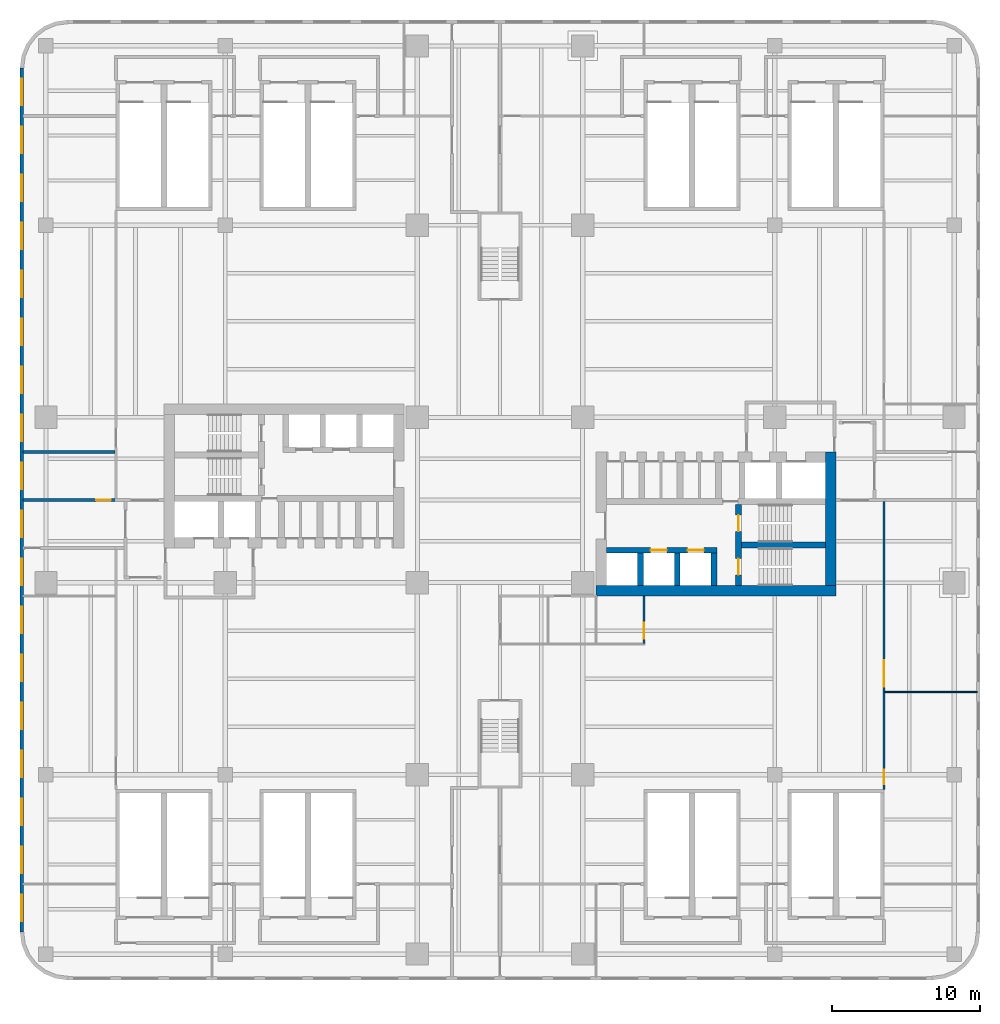
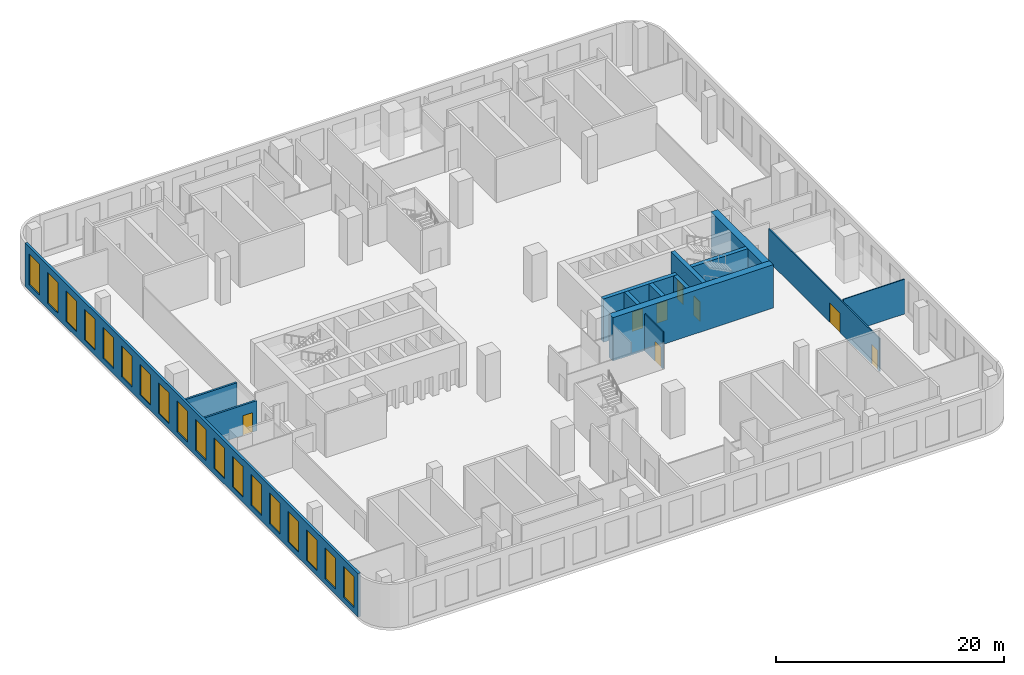
# One storey, part 7 of 13: 18 windows, 14 walls, 8 doors, 26 openings.
"""IFC4 building model written with IfcOpenShell, lengths in metres."""

from ifc_helpers import new_model, si_unit, direction, frame, frame_2d, origin, place, context, subcontext, project, spatial, rectangle, extrude, source, transform, mapped, material, layer, layer_set, type_object, element, fill, save


model = new_model("IFC4")

# Units and contexts
model_context = context("Model", 3, precision=1e-05, world=origin(), true_north=direction((0.0, 1.0)))
body_context = subcontext(model_context, "Body", "Model", "MODEL_VIEW")
ifc_project = project(units=[si_unit("LENGTHUNIT", "METRE"), si_unit("AREAUNIT", "SQUARE_METRE"), si_unit("VOLUMEUNIT", "CUBIC_METRE"), si_unit("PLANEANGLEUNIT", "RADIAN"), si_unit("MASSUNIT", "GRAM", prefix="KILO")], contexts=[model_context])

# Site, building, storey
site_placement = place(None, origin())
site = spatial("IfcSite", under=ifc_project, at=site_placement, CompositionType="ELEMENT")
building_placement = place(site_placement, origin())
building = spatial("IfcBuilding", under=site, at=building_placement, Name="Trellis Farm Tower", CompositionType="ELEMENT")
storey_placement = place(building_placement, frame((0.0, 0.0, 29.0)))
storey = spatial("IfcBuildingStorey", under=building, at=storey_placement, Name="L05", CompositionType="ELEMENT", Elevation=29.0)

# Wall
ifc_material_1 = material(Name="Lightweight blockwork, plastered", Category="masonry")
ifc_layer_1 = layer(ifc_material_1, 0.199951171875)
ifc_layer_set_1 = layer_set([ifc_layer_1], Name="BLOCK WALL 200 EI 120")
wall_type_1 = type_object("IfcWallType", Name="BLOCK WALL 200 EI 120", PredefinedType="PARTITIONING", material=ifc_layer_set_1)
wall_1_placement = place(storey_placement, frame((-32.300048828125, 3.25, 0.0), z_axis=(0.0, 0.0, 1.0), x_axis=(1.0, 0.0, 0.0)))
element("IfcWall", 1, at=wall_1_placement, inside=storey, type_object=wall_type_1, Name="Partition PW3", PredefinedType="PARTITIONING", context=body_context, shape_type="SweptSolid", body=[
    extrude(rectangle(XDim=6.237548828125, YDim=0.199951171875, at=frame_2d((3.11865234375, 0.0))), origin(), (0.0, 0.0, 1.0), 3.22998046875),
])

# Wall, opening, door
ifc_material_2 = material(Name="Plasterboard on steel studs, mineral wool", Category="steel")
ifc_layer_2 = layer(ifc_material_2, 0.125)
ifc_layer_set_2 = layer_set([ifc_layer_2], Name="PARTITION 125 STUD EI 60")
wall_type_2 = type_object("IfcWallType", Name="PARTITION 125 STUD EI 60", PredefinedType="PARTITIONING", material=ifc_layer_set_2)
wall_2_placement = place(storey_placement, frame((9.75, -9.699951171875, 0.0), z_axis=(0.0, 0.0, 1.0), x_axis=(0.0, 1.0, 0.0)))
wall_2 = element("IfcWall", 2, at=wall_2_placement, inside=storey, type_object=wall_type_2, Name="Partition PW1", PredefinedType="PARTITIONING", context=body_context, shape_type="SweptSolid", body=[
    extrude(rectangle(XDim=3.199951171875, YDim=0.125, at=frame_2d((1.60009765625, 0.0))), origin(), (0.0, 0.0, 1.0), 3.946533203125),
])
shared_shape_1 = source(origin(), body_context, "Body", "SweptSolid", [
    extrude(rectangle(XDim=1.10009765625, YDim=2.10009765625, at=frame_2d((0.550048828125, 1.050048828125))), frame((0.0, 0.072509765625, 0.0), z_axis=(0.0, -1.0, 0.0), x_axis=(1.0, 0.0, 0.0)), (0.0, 0.0, 1.0), 0.14501953125),
])
opening_1_placement = place(wall_2_placement, frame((0.300048828125, 0.0, 0.0)))
opening_1 = element("IfcOpeningElement", 3, at=opening_1_placement, cuts=wall_2, Name="Opening D501", PredefinedType="OPENING", context=body_context, shape_type="MappedRepresentation", body=[
    mapped(shared_shape_1, transform((0.0, 0.0, 0.0))),
])
ifc_material_3 = material(Name="Fire-rated timber door leaf in a hollow metal frame", Category="wood")
door_type_1 = type_object("IfcDoorType", Name="DOOR 1100x2100 FD30S", OperationType="NOTDEFINED", PredefinedType="DOOR", material=ifc_material_3)
shared_shape_2 = source(origin(), body_context, "Body", "SweptSolid", [
    extrude(rectangle(XDim=1.10009765625, YDim=2.10009765625, at=frame_2d((0.550048828125, 1.050048828125))), frame((0.0, 0.02490234375, 0.0), z_axis=(0.0, -1.0, 0.0), x_axis=(1.0, 0.0, 0.0)), (0.0, 0.0, 1.0), 0.050048828125),
])
door_1_placement = place(opening_1_placement, origin())
door_1 = element("IfcDoor", 4, at=door_1_placement, inside=storey, type_object=door_type_1, Name="Door D501", OperationType="SINGLE_SWING_LEFT", OverallHeight=2.10009765625, OverallWidth=1.10009765625, PredefinedType="DOOR", context=body_context, shape_type="MappedRepresentation", body=[
    mapped(shared_shape_2, transform((0.0, 0.0, 0.0))),
])
fill(opening_1, door_1)

# Walls
ifc_material_4 = material(Name="Concrete C80/95", Category="concrete")
ifc_layer_3 = layer(ifc_material_4, 0.699951171875)
ifc_layer_set_3 = layer_set([ifc_layer_3], Name="CORE OUTER WALL 700 CONCRETE C80/95")
wall_type_3 = type_object("IfcWallType", Name="CORE OUTER WALL 700 CONCRETE C80/95", PredefinedType="SHEAR", material=ifc_layer_set_3)
shared_shape_3 = source(origin(), body_context, "Body", "SweptSolid", [
    extrude(rectangle(XDim=9.050048828125, YDim=0.699951171875, at=frame_2d((4.52490234375, 0.0))), origin(), (0.0, 0.0, 1.0), 4.64990234375),
])
wall_3_placement = place(storey_placement, frame((22.39990234375, -5.800048828125, 0.0), z_axis=(0.0, 0.0, 1.0), x_axis=(0.0, 1.0, 0.0)))
element("IfcWall", 5, at=wall_3_placement, inside=storey, type_object=wall_type_3, Name="Core wall", PredefinedType="SHEAR", context=body_context, shape_type="MappedRepresentation", body=[
    mapped(shared_shape_3, transform((0.0, 0.0, 0.0))),
])
ifc_layer_4 = layer(ifc_material_4, 0.39990234375)
ifc_layer_set_4 = layer_set([ifc_layer_4], Name="CORE INNER WALL 400 CONCRETE C80/95")
wall_type_4 = type_object("IfcWallType", Name="CORE INNER WALL 400 CONCRETE C80/95", PredefinedType="SHEAR", material=ifc_layer_set_4)
shared_shape_4 = source(origin(), body_context, "Body", "SweptSolid", [
    extrude(rectangle(XDim=2.199951171875, YDim=0.39990234375, at=frame_2d((1.10009765625, 0.0))), origin(), (0.0, 0.0, 1.0), 4.64990234375),
])
for number, where, z_axis, x_axis, name in (
    (6, (9.5, -5.800048828125, 0.0), (0.0, 0.0, 1.0), (0.0, 1.0, 0.0), "Core wall"),
    (7, (12.0, -5.800048828125, 0.0), (0.0, 0.0, 1.0), (0.0, 1.0, 0.0), "Core wall"),
    (8, (14.5, -5.800048828125, 0.0), (0.0, 0.0, 1.0), (0.0, 1.0, 0.0), "Core wall"),
):
    element("IfcWall", number, at=place(storey_placement, frame(where, z_axis=z_axis, x_axis=x_axis)), inside=storey, type_object=wall_type_4, Name=name, PredefinedType="SHEAR", context=body_context, shape_type="MappedRepresentation", body=[
        mapped(shared_shape_4, transform((0.0, 0.0, 0.0))),
    ])
shared_shape_5 = source(origin(), body_context, "Body", "SweptSolid", [
    extrude(rectangle(XDim=16.25, YDim=0.699951171875, at=frame_2d((8.125, 0.0))), origin(), (0.0, 0.0, 1.0), 4.64990234375),
])
wall_4_placement = place(storey_placement, frame((6.5, -6.14990234375, 0.0), z_axis=(0.0, 0.0, 1.0), x_axis=(1.0, 0.0, 0.0)))
element("IfcWall", 9, at=wall_4_placement, inside=storey, type_object=wall_type_3, Name="Core wall", PredefinedType="SHEAR", context=body_context, shape_type="MappedRepresentation", body=[
    mapped(shared_shape_5, transform((0.0, 0.0, 0.0))),
])

# Wall, openings, doors
shared_shape_6 = source(origin(), body_context, "Body", "SweptSolid", [
    extrude(rectangle(XDim=7.5, YDim=0.39990234375, at=frame_2d((3.75, 0.0))), origin(), (0.0, 0.0, 1.0), 4.64990234375),
])
wall_5_placement = place(storey_placement, frame((7.199951171875, -3.39990234375, 0.0), z_axis=(0.0, 0.0, 1.0), x_axis=(1.0, 0.0, 0.0)))
wall_5 = element("IfcWall", 10, at=wall_5_placement, inside=storey, type_object=wall_type_4, Name="Core wall", PredefinedType="SHEAR", context=body_context, shape_type="MappedRepresentation", body=[
    mapped(shared_shape_6, transform((0.0, 0.0, 0.0))),
])
shared_shape_7 = source(origin(), body_context, "Body", "SweptSolid", [
    extrude(rectangle(XDim=1.10009765625, YDim=2.10009765625, at=frame_2d((0.550048828125, 1.050048828125))), frame((0.0, 0.2099609375, 0.0), z_axis=(0.0, -1.0, 0.0), x_axis=(1.0, 0.0, 0.0)), (0.0, 0.0, 1.0), 0.419921875),
])
opening_2_placement = place(wall_5_placement, frame((3.0, 0.0, 0.0)))
opening_2 = element("IfcOpeningElement", 11, at=opening_2_placement, cuts=wall_5, Name="Opening LD2", PredefinedType="OPENING", context=body_context, shape_type="MappedRepresentation", body=[
    mapped(shared_shape_7, transform((0.0, 0.0, 0.0))),
])
opening_3_placement = place(wall_5_placement, frame((5.5, 0.0, 0.0)))
opening_3 = element("IfcOpeningElement", 12, at=opening_3_placement, cuts=wall_5, Name="Opening LD3", PredefinedType="OPENING", context=body_context, shape_type="MappedRepresentation", body=[
    mapped(shared_shape_7, transform((0.0, 0.0, 0.0))),
])
ifc_material_5 = material(Name="Stainless steel", Category="steel")
door_type_2 = type_object("IfcDoorType", Name="LIFT LANDING DOOR 1100 X 2100", OperationType="DOUBLE_DOOR_SLIDING", PredefinedType="DOOR", material=ifc_material_5)
door_2_placement = place(opening_2_placement, origin())
door_2 = element("IfcDoor", 13, at=door_2_placement, inside=storey, type_object=door_type_2, Name="Lift landing door", OperationType="DOUBLE_DOOR_SLIDING", OverallHeight=2.10009765625, OverallWidth=1.10009765625, PredefinedType="DOOR", context=body_context, shape_type="MappedRepresentation", body=[
    mapped(shared_shape_2, transform((0.0, 0.0, 0.0))),
])
fill(opening_2, door_2)
door_3_placement = place(opening_3_placement, origin())
door_3 = element("IfcDoor", 14, at=door_3_placement, inside=storey, type_object=door_type_2, Name="Lift landing door", OperationType="DOUBLE_DOOR_SLIDING", OverallHeight=2.10009765625, OverallWidth=1.10009765625, PredefinedType="DOOR", context=body_context, shape_type="MappedRepresentation", body=[
    mapped(shared_shape_2, transform((0.0, 0.0, 0.0))),
])
fill(opening_3, door_3)

shared_shape_8 = source(origin(), body_context, "Body", "SweptSolid", [
    extrude(rectangle(XDim=5.5, YDim=0.39990234375, at=frame_2d((2.75, 0.0))), origin(), (0.0, 0.0, 1.0), 4.64990234375),
])
wall_6_placement = place(storey_placement, frame((16.14990234375, -5.800048828125, 0.0), z_axis=(0.0, 0.0, 1.0), x_axis=(0.0, 1.0, 0.0)))
wall_6 = element("IfcWall", 15, at=wall_6_placement, inside=storey, type_object=wall_type_4, Name="Core wall", PredefinedType="SHEAR", context=body_context, shape_type="MappedRepresentation", body=[
    mapped(shared_shape_8, transform((0.0, 0.0, 0.0))),
])
opening_4_placement = place(wall_6_placement, frame((0.72509765625, 0.0, 0.0)))
opening_4 = element("IfcOpeningElement", 16, at=opening_4_placement, cuts=wall_6, Name="Opening DC2", PredefinedType="OPENING", context=body_context, shape_type="MappedRepresentation", body=[
    mapped(shared_shape_7, transform((0.0, 0.0, 0.0))),
])
opening_5_placement = place(wall_6_placement, frame((3.675048828125, 0.0, 0.0)))
opening_5 = element("IfcOpeningElement", 17, at=opening_5_placement, cuts=wall_6, Name="Opening DC3", PredefinedType="OPENING", context=body_context, shape_type="MappedRepresentation", body=[
    mapped(shared_shape_7, transform((0.0, 0.0, 0.0))),
])
ifc_material_6 = material(Name="Steel", Category="steel")
door_type_3 = type_object("IfcDoorType", Name="CORE FIRE DOOR 1100 X 2100", OperationType="NOTDEFINED", PredefinedType="DOOR", material=ifc_material_6)
door_4_placement = place(opening_4_placement, origin())
door_4 = element("IfcDoor", 18, at=door_4_placement, inside=storey, type_object=door_type_3, Name="Core door", OperationType="SINGLE_SWING_RIGHT", OverallHeight=2.10009765625, OverallWidth=1.10009765625, PredefinedType="DOOR", context=body_context, shape_type="MappedRepresentation", body=[
    mapped(shared_shape_2, transform((0.0, 0.0, 0.0))),
])
fill(opening_4, door_4)
door_5_placement = place(opening_5_placement, origin())
door_5 = element("IfcDoor", 19, at=door_5_placement, inside=storey, type_object=door_type_3, Name="Core door", OperationType="SINGLE_SWING_LEFT", OverallHeight=2.10009765625, OverallWidth=1.10009765625, PredefinedType="DOOR", context=body_context, shape_type="MappedRepresentation", body=[
    mapped(shared_shape_2, transform((0.0, 0.0, 0.0))),
])
fill(opening_5, door_5)

# Wall
shared_shape_9 = source(origin(), body_context, "Body", "SweptSolid", [
    extrude(rectangle(XDim=5.699951171875, YDim=0.39990234375, at=frame_2d((2.85009765625, 0.0))), origin(), (0.0, 0.0, 1.0), 4.64990234375),
])
wall_7_placement = place(storey_placement, frame((16.35009765625, -3.050048828125, 0.0), z_axis=(0.0, 0.0, 1.0), x_axis=(1.0, 0.0, 0.0)))
element("IfcWall", 20, at=wall_7_placement, inside=storey, type_object=wall_type_4, Name="Core wall", PredefinedType="SHEAR", context=body_context, shape_type="MappedRepresentation", body=[
    mapped(shared_shape_9, transform((0.0, 0.0, 0.0))),
])

# Wall, openings, windows
ifc_material_7 = material(Name="Sandstone faced insulated wall", Category="masonry")
ifc_layer_5 = layer(ifc_material_7, 0.25)
ifc_layer_set_5 = layer_set([ifc_layer_5], Name="STONE CLAD EXTERNAL WALL 250")
wall_type_5 = type_object("IfcWallType", Name="STONE CLAD EXTERNAL WALL 250", PredefinedType="SOLIDWALL", material=ifc_layer_set_5)
shared_shape_10 = source(origin(), body_context, "Body", "SweptSolid", [
    extrude(rectangle(XDim=58.5, YDim=0.25, at=frame_2d((29.25, 0.0))), origin(), (0.0, 0.0, 1.0), 4.64990234375),
])
wall_8_placement = place(storey_placement, frame((-32.375, 29.25, 0.0), z_axis=(0.0, 0.0, 1.0), x_axis=(0.0, -1.0, 0.0)))
wall_8 = element("IfcWall", 21, at=wall_8_placement, inside=storey, type_object=wall_type_5, Name="EW5 F03", PredefinedType="SOLIDWALL", context=body_context, shape_type="MappedRepresentation", body=[
    mapped(shared_shape_10, transform((0.0, 0.0, 0.0))),
])
shared_shape_11 = source(origin(), body_context, "Body", "SweptSolid", [
    extrude(rectangle(XDim=1.800048828125, YDim=3.300048828125, at=frame_2d((0.89990234375, 1.64990234375))), frame((0.0, 0.135009765625, 0.0), z_axis=(0.0, -1.0, 0.0), x_axis=(1.0, 0.0, 0.0)), (0.0, 0.0, 1.0), 0.27001953125),
])
opening_6_placement = place(wall_8_placement, frame((0.72509765625, 0.0, 0.60009765625)))
opening_6 = element("IfcOpeningElement", 22, at=opening_6_placement, cuts=wall_8, Name="Opening WN4", PredefinedType="OPENING", context=body_context, shape_type="MappedRepresentation", body=[
    mapped(shared_shape_11, transform((0.0, 0.0, 0.0))),
])
opening_7_placement = place(wall_8_placement, frame((3.97509765625, 0.0, 0.60009765625)))
opening_7 = element("IfcOpeningElement", 23, at=opening_7_placement, cuts=wall_8, Name="Opening WN4", PredefinedType="OPENING", context=body_context, shape_type="MappedRepresentation", body=[
    mapped(shared_shape_11, transform((0.0, 0.0, 0.0))),
])
opening_8_placement = place(wall_8_placement, frame((7.22509765625, 0.0, 0.60009765625)))
opening_8 = element("IfcOpeningElement", 24, at=opening_8_placement, cuts=wall_8, Name="Opening WN4", PredefinedType="OPENING", context=body_context, shape_type="MappedRepresentation", body=[
    mapped(shared_shape_11, transform((0.0, 0.0, 0.0))),
])
opening_9_placement = place(wall_8_placement, frame((10.47509765625, 0.0, 0.60009765625)))
opening_9 = element("IfcOpeningElement", 25, at=opening_9_placement, cuts=wall_8, Name="Opening WN4", PredefinedType="OPENING", context=body_context, shape_type="MappedRepresentation", body=[
    mapped(shared_shape_11, transform((0.0, 0.0, 0.0))),
])
opening_10_placement = place(wall_8_placement, frame((13.72509765625, 0.0, 0.60009765625)))
opening_10 = element("IfcOpeningElement", 26, at=opening_10_placement, cuts=wall_8, Name="Opening WN4", PredefinedType="OPENING", context=body_context, shape_type="MappedRepresentation", body=[
    mapped(shared_shape_11, transform((0.0, 0.0, 0.0))),
])
opening_11_placement = place(wall_8_placement, frame((16.97509765625, 0.0, 0.60009765625)))
opening_11 = element("IfcOpeningElement", 27, at=opening_11_placement, cuts=wall_8, Name="Opening WN4", PredefinedType="OPENING", context=body_context, shape_type="MappedRepresentation", body=[
    mapped(shared_shape_11, transform((0.0, 0.0, 0.0))),
])
opening_12_placement = place(wall_8_placement, frame((20.22509765625, 0.0, 0.60009765625)))
opening_12 = element("IfcOpeningElement", 28, at=opening_12_placement, cuts=wall_8, Name="Opening WN4", PredefinedType="OPENING", context=body_context, shape_type="MappedRepresentation", body=[
    mapped(shared_shape_11, transform((0.0, 0.0, 0.0))),
])
opening_13_placement = place(wall_8_placement, frame((23.47509765625, 0.0, 0.60009765625)))
opening_13 = element("IfcOpeningElement", 29, at=opening_13_placement, cuts=wall_8, Name="Opening WN4", PredefinedType="OPENING", context=body_context, shape_type="MappedRepresentation", body=[
    mapped(shared_shape_11, transform((0.0, 0.0, 0.0))),
])
opening_14_placement = place(wall_8_placement, frame((26.72509765625, 0.0, 0.60009765625)))
opening_14 = element("IfcOpeningElement", 30, at=opening_14_placement, cuts=wall_8, Name="Opening WN4", PredefinedType="OPENING", context=body_context, shape_type="MappedRepresentation", body=[
    mapped(shared_shape_11, transform((0.0, 0.0, 0.0))),
])
opening_15_placement = place(wall_8_placement, frame((29.97509765625, 0.0, 0.60009765625)))
opening_15 = element("IfcOpeningElement", 31, at=opening_15_placement, cuts=wall_8, Name="Opening WN4", PredefinedType="OPENING", context=body_context, shape_type="MappedRepresentation", body=[
    mapped(shared_shape_11, transform((0.0, 0.0, 0.0))),
])
opening_16_placement = place(wall_8_placement, frame((33.22509765625, 0.0, 0.60009765625)))
opening_16 = element("IfcOpeningElement", 32, at=opening_16_placement, cuts=wall_8, Name="Opening WN4", PredefinedType="OPENING", context=body_context, shape_type="MappedRepresentation", body=[
    mapped(shared_shape_11, transform((0.0, 0.0, 0.0))),
])
opening_17_placement = place(wall_8_placement, frame((36.47509765625, 0.0, 0.60009765625)))
opening_17 = element("IfcOpeningElement", 33, at=opening_17_placement, cuts=wall_8, Name="Opening WN4", PredefinedType="OPENING", context=body_context, shape_type="MappedRepresentation", body=[
    mapped(shared_shape_11, transform((0.0, 0.0, 0.0))),
])
opening_18_placement = place(wall_8_placement, frame((39.72509765625, 0.0, 0.60009765625)))
opening_18 = element("IfcOpeningElement", 34, at=opening_18_placement, cuts=wall_8, Name="Opening WN4", PredefinedType="OPENING", context=body_context, shape_type="MappedRepresentation", body=[
    mapped(shared_shape_11, transform((0.0, 0.0, 0.0))),
])
opening_19_placement = place(wall_8_placement, frame((42.97509765625, 0.0, 0.60009765625)))
opening_19 = element("IfcOpeningElement", 35, at=opening_19_placement, cuts=wall_8, Name="Opening WN4", PredefinedType="OPENING", context=body_context, shape_type="MappedRepresentation", body=[
    mapped(shared_shape_11, transform((0.0, 0.0, 0.0))),
])
opening_20_placement = place(wall_8_placement, frame((46.22509765625, 0.0, 0.60009765625)))
opening_20 = element("IfcOpeningElement", 36, at=opening_20_placement, cuts=wall_8, Name="Opening WN4", PredefinedType="OPENING", context=body_context, shape_type="MappedRepresentation", body=[
    mapped(shared_shape_11, transform((0.0, 0.0, 0.0))),
])
opening_21_placement = place(wall_8_placement, frame((49.47509765625, 0.0, 0.60009765625)))
opening_21 = element("IfcOpeningElement", 37, at=opening_21_placement, cuts=wall_8, Name="Opening WN4", PredefinedType="OPENING", context=body_context, shape_type="MappedRepresentation", body=[
    mapped(shared_shape_11, transform((0.0, 0.0, 0.0))),
])
opening_22_placement = place(wall_8_placement, frame((52.72509765625, 0.0, 0.60009765625)))
opening_22 = element("IfcOpeningElement", 38, at=opening_22_placement, cuts=wall_8, Name="Opening WN4", PredefinedType="OPENING", context=body_context, shape_type="MappedRepresentation", body=[
    mapped(shared_shape_11, transform((0.0, 0.0, 0.0))),
])
opening_23_placement = place(wall_8_placement, frame((55.97509765625, 0.0, 0.60009765625)))
opening_23 = element("IfcOpeningElement", 39, at=opening_23_placement, cuts=wall_8, Name="Opening WN4", PredefinedType="OPENING", context=body_context, shape_type="MappedRepresentation", body=[
    mapped(shared_shape_11, transform((0.0, 0.0, 0.0))),
])
ifc_material_8 = material(Name="Clear insulated glass", Category="glass")
window_type = type_object("IfcWindowType", Name="PODIUM WINDOW 1800x3300", PartitioningType="SINGLE_PANEL", PredefinedType="WINDOW", material=ifc_material_8)
shared_shape_12 = source(origin(), body_context, "Body", "SweptSolid", [
    extrude(rectangle(XDim=1.800048828125, YDim=3.300048828125, at=frame_2d((0.89990234375, 1.64990234375))), frame((0.0, 0.030029296875, 0.0), z_axis=(0.0, -1.0, 0.0), x_axis=(1.0, 0.0, 0.0)), (0.0, 0.0, 1.0), 0.06005859375),
])
window_1_placement = place(opening_6_placement, origin())
window_1 = element("IfcWindow", 40, at=window_1_placement, inside=storey, type_object=window_type, Name="WN4 037", OverallHeight=3.300048828125, OverallWidth=1.800048828125, PartitioningType="SINGLE_PANEL", PredefinedType="WINDOW", context=body_context, shape_type="MappedRepresentation", body=[
    mapped(shared_shape_12, transform((0.0, 0.0, 0.0))),
])
fill(opening_6, window_1)
window_2_placement = place(opening_7_placement, origin())
window_2 = element("IfcWindow", 41, at=window_2_placement, inside=storey, type_object=window_type, Name="WN4 038", OverallHeight=3.300048828125, OverallWidth=1.800048828125, PartitioningType="SINGLE_PANEL", PredefinedType="WINDOW", context=body_context, shape_type="MappedRepresentation", body=[
    mapped(shared_shape_12, transform((0.0, 0.0, 0.0))),
])
fill(opening_7, window_2)
window_3_placement = place(opening_8_placement, origin())
window_3 = element("IfcWindow", 42, at=window_3_placement, inside=storey, type_object=window_type, Name="WN4 039", OverallHeight=3.300048828125, OverallWidth=1.800048828125, PartitioningType="SINGLE_PANEL", PredefinedType="WINDOW", context=body_context, shape_type="MappedRepresentation", body=[
    mapped(shared_shape_12, transform((0.0, 0.0, 0.0))),
])
fill(opening_8, window_3)
window_4_placement = place(opening_9_placement, origin())
window_4 = element("IfcWindow", 43, at=window_4_placement, inside=storey, type_object=window_type, Name="WN4 040", OverallHeight=3.300048828125, OverallWidth=1.800048828125, PartitioningType="SINGLE_PANEL", PredefinedType="WINDOW", context=body_context, shape_type="MappedRepresentation", body=[
    mapped(shared_shape_12, transform((0.0, 0.0, 0.0))),
])
fill(opening_9, window_4)
window_5_placement = place(opening_10_placement, origin())
window_5 = element("IfcWindow", 44, at=window_5_placement, inside=storey, type_object=window_type, Name="WN4 041", OverallHeight=3.300048828125, OverallWidth=1.800048828125, PartitioningType="SINGLE_PANEL", PredefinedType="WINDOW", context=body_context, shape_type="MappedRepresentation", body=[
    mapped(shared_shape_12, transform((0.0, 0.0, 0.0))),
])
fill(opening_10, window_5)
window_6_placement = place(opening_11_placement, origin())
window_6 = element("IfcWindow", 45, at=window_6_placement, inside=storey, type_object=window_type, Name="WN4 042", OverallHeight=3.300048828125, OverallWidth=1.800048828125, PartitioningType="SINGLE_PANEL", PredefinedType="WINDOW", context=body_context, shape_type="MappedRepresentation", body=[
    mapped(shared_shape_12, transform((0.0, 0.0, 0.0))),
])
fill(opening_11, window_6)
window_7_placement = place(opening_12_placement, origin())
window_7 = element("IfcWindow", 46, at=window_7_placement, inside=storey, type_object=window_type, Name="WN4 043", OverallHeight=3.300048828125, OverallWidth=1.800048828125, PartitioningType="SINGLE_PANEL", PredefinedType="WINDOW", context=body_context, shape_type="MappedRepresentation", body=[
    mapped(shared_shape_12, transform((0.0, 0.0, 0.0))),
])
fill(opening_12, window_7)
window_8_placement = place(opening_13_placement, origin())
window_8 = element("IfcWindow", 47, at=window_8_placement, inside=storey, type_object=window_type, Name="WN4 044", OverallHeight=3.300048828125, OverallWidth=1.800048828125, PartitioningType="SINGLE_PANEL", PredefinedType="WINDOW", context=body_context, shape_type="MappedRepresentation", body=[
    mapped(shared_shape_12, transform((0.0, 0.0, 0.0))),
])
fill(opening_13, window_8)
window_9_placement = place(opening_14_placement, origin())
window_9 = element("IfcWindow", 48, at=window_9_placement, inside=storey, type_object=window_type, Name="WN4 045", OverallHeight=3.300048828125, OverallWidth=1.800048828125, PartitioningType="SINGLE_PANEL", PredefinedType="WINDOW", context=body_context, shape_type="MappedRepresentation", body=[
    mapped(shared_shape_12, transform((0.0, 0.0, 0.0))),
])
fill(opening_14, window_9)
window_10_placement = place(opening_15_placement, origin())
window_10 = element("IfcWindow", 49, at=window_10_placement, inside=storey, type_object=window_type, Name="WN4 046", OverallHeight=3.300048828125, OverallWidth=1.800048828125, PartitioningType="SINGLE_PANEL", PredefinedType="WINDOW", context=body_context, shape_type="MappedRepresentation", body=[
    mapped(shared_shape_12, transform((0.0, 0.0, 0.0))),
])
fill(opening_15, window_10)
window_11_placement = place(opening_16_placement, origin())
window_11 = element("IfcWindow", 50, at=window_11_placement, inside=storey, type_object=window_type, Name="WN4 047", OverallHeight=3.300048828125, OverallWidth=1.800048828125, PartitioningType="SINGLE_PANEL", PredefinedType="WINDOW", context=body_context, shape_type="MappedRepresentation", body=[
    mapped(shared_shape_12, transform((0.0, 0.0, 0.0))),
])
fill(opening_16, window_11)
window_12_placement = place(opening_17_placement, origin())
window_12 = element("IfcWindow", 51, at=window_12_placement, inside=storey, type_object=window_type, Name="WN4 048", OverallHeight=3.300048828125, OverallWidth=1.800048828125, PartitioningType="SINGLE_PANEL", PredefinedType="WINDOW", context=body_context, shape_type="MappedRepresentation", body=[
    mapped(shared_shape_12, transform((0.0, 0.0, 0.0))),
])
fill(opening_17, window_12)
window_13_placement = place(opening_18_placement, origin())
window_13 = element("IfcWindow", 52, at=window_13_placement, inside=storey, type_object=window_type, Name="WN4 049", OverallHeight=3.300048828125, OverallWidth=1.800048828125, PartitioningType="SINGLE_PANEL", PredefinedType="WINDOW", context=body_context, shape_type="MappedRepresentation", body=[
    mapped(shared_shape_12, transform((0.0, 0.0, 0.0))),
])
fill(opening_18, window_13)
window_14_placement = place(opening_19_placement, origin())
window_14 = element("IfcWindow", 53, at=window_14_placement, inside=storey, type_object=window_type, Name="WN4 050", OverallHeight=3.300048828125, OverallWidth=1.800048828125, PartitioningType="SINGLE_PANEL", PredefinedType="WINDOW", context=body_context, shape_type="MappedRepresentation", body=[
    mapped(shared_shape_12, transform((0.0, 0.0, 0.0))),
])
fill(opening_19, window_14)
window_15_placement = place(opening_20_placement, origin())
window_15 = element("IfcWindow", 54, at=window_15_placement, inside=storey, type_object=window_type, Name="WN4 051", OverallHeight=3.300048828125, OverallWidth=1.800048828125, PartitioningType="SINGLE_PANEL", PredefinedType="WINDOW", context=body_context, shape_type="MappedRepresentation", body=[
    mapped(shared_shape_12, transform((0.0, 0.0, 0.0))),
])
fill(opening_20, window_15)
window_16_placement = place(opening_21_placement, origin())
window_16 = element("IfcWindow", 55, at=window_16_placement, inside=storey, type_object=window_type, Name="WN4 052", OverallHeight=3.300048828125, OverallWidth=1.800048828125, PartitioningType="SINGLE_PANEL", PredefinedType="WINDOW", context=body_context, shape_type="MappedRepresentation", body=[
    mapped(shared_shape_12, transform((0.0, 0.0, 0.0))),
])
fill(opening_21, window_16)
window_17_placement = place(opening_22_placement, origin())
window_17 = element("IfcWindow", 56, at=window_17_placement, inside=storey, type_object=window_type, Name="WN4 053", OverallHeight=3.300048828125, OverallWidth=1.800048828125, PartitioningType="SINGLE_PANEL", PredefinedType="WINDOW", context=body_context, shape_type="MappedRepresentation", body=[
    mapped(shared_shape_12, transform((0.0, 0.0, 0.0))),
])
fill(opening_22, window_17)
window_18_placement = place(opening_23_placement, origin())
window_18 = element("IfcWindow", 57, at=window_18_placement, inside=storey, type_object=window_type, Name="WN4 054", OverallHeight=3.300048828125, OverallWidth=1.800048828125, PartitioningType="SINGLE_PANEL", PredefinedType="WINDOW", context=body_context, shape_type="MappedRepresentation", body=[
    mapped(shared_shape_12, transform((0.0, 0.0, 0.0))),
])
fill(opening_23, window_18)

# Wall
ifc_material_9 = material(Name="Plasterboard on steel studs", Category="steel")
ifc_layer_6 = layer(ifc_material_9, 0.10009765625)
ifc_layer_set_6 = layer_set([ifc_layer_6], Name="PARTITION 100 STUD EI 30")
wall_type_6 = type_object("IfcWallType", Name="PARTITION 100 STUD EI 30", PredefinedType="PARTITIONING", material=ifc_layer_set_6)
shared_shape_13 = source(origin(), body_context, "Body", "SweptSolid", [
    extrude(rectangle(XDim=6.237548828125, YDim=0.10009765625, at=frame_2d((3.11865234375, 0.0))), origin(), (0.0, 0.0, 1.0), 3.72998046875),
])
wall_9_placement = place(storey_placement, frame((26.0625, -13.0, 0.0), z_axis=(0.0, 0.0, 1.0), x_axis=(1.0, 0.0, 0.0)))
element("IfcWall", 58, at=wall_9_placement, inside=storey, type_object=wall_type_6, Name="Partition PW2", PredefinedType="PARTITIONING", context=body_context, shape_type="MappedRepresentation", body=[
    mapped(shared_shape_13, transform((0.0, 0.0, 0.0))),
])

# Wall, openings, doors
shared_shape_14 = source(origin(), body_context, "Body", "SweptSolid", [
    extrude(rectangle(XDim=19.5, YDim=0.125, at=frame_2d((9.75, 0.0))), origin(), (0.0, 0.0, 1.0), 3.530029296875),
])
wall_10_placement = place(storey_placement, frame((26.0, -0.10009765625, 0.0), z_axis=(0.0, 0.0, 1.0), x_axis=(0.0, -1.0, 0.0)))
wall_10 = element("IfcWall", 59, at=wall_10_placement, inside=storey, type_object=wall_type_2, Name="Partition PW1", PredefinedType="PARTITIONING", context=body_context, shape_type="MappedRepresentation", body=[
    mapped(shared_shape_14, transform((0.0, 0.0, 0.0))),
])
shared_shape_15 = source(origin(), body_context, "Body", "SweptSolid", [
    extrude(rectangle(XDim=1.0, YDim=2.10009765625, at=frame_2d((0.5, 1.050048828125))), frame((0.0, 0.072509765625, 0.0), z_axis=(0.0, -1.0, 0.0), x_axis=(1.0, 0.0, 0.0)), (0.0, 0.0, 1.0), 0.14501953125),
])
opening_24_placement = place(wall_10_placement, frame((18.14990234375, 0.0, 0.0)))
opening_24 = element("IfcOpeningElement", 60, at=opening_24_placement, cuts=wall_10, Name="Opening D102", PredefinedType="OPENING", context=body_context, shape_type="MappedRepresentation", body=[
    mapped(shared_shape_15, transform((0.0, 0.0, 0.0))),
])
shared_shape_16 = source(origin(), body_context, "Body", "SweptSolid", [
    extrude(rectangle(XDim=1.800048828125, YDim=2.10009765625, at=frame_2d((0.89990234375, 1.050048828125))), frame((0.0, 0.072509765625, 0.0), z_axis=(0.0, -1.0, 0.0), x_axis=(1.0, 0.0, 0.0)), (0.0, 0.0, 1.0), 0.14501953125),
])
opening_25_placement = place(wall_10_placement, frame((10.75, 0.0, 0.0)))
opening_25 = element("IfcOpeningElement", 61, at=opening_25_placement, cuts=wall_10, Name="Opening D202", PredefinedType="OPENING", context=body_context, shape_type="MappedRepresentation", body=[
    mapped(shared_shape_16, transform((0.0, 0.0, 0.0))),
])
door_type_4 = type_object("IfcDoorType", Name="DOOR 1000x2100 FD30S", OperationType="NOTDEFINED", PredefinedType="DOOR", material=ifc_material_3)
shared_shape_17 = source(origin(), body_context, "Body", "SweptSolid", [
    extrude(rectangle(XDim=1.0, YDim=2.10009765625, at=frame_2d((0.5, 1.050048828125))), frame((0.0, 0.02490234375, 0.0), z_axis=(0.0, -1.0, 0.0), x_axis=(1.0, 0.0, 0.0)), (0.0, 0.0, 1.0), 0.050048828125),
])
door_6_placement = place(opening_24_placement, origin())
door_6 = element("IfcDoor", 62, at=door_6_placement, inside=storey, type_object=door_type_4, Name="Door D102", OperationType="SINGLE_SWING_RIGHT", OverallHeight=2.10009765625, OverallWidth=1.0, PredefinedType="DOOR", context=body_context, shape_type="MappedRepresentation", body=[
    mapped(shared_shape_17, transform((0.0, 0.0, 0.0))),
])
fill(opening_24, door_6)
door_type_5 = type_object("IfcDoorType", Name="DOOR PAIR 1800x2100 FD30S", OperationType="NOTDEFINED", PredefinedType="DOOR", material=ifc_material_3)
shared_shape_18 = source(origin(), body_context, "Body", "SweptSolid", [
    extrude(rectangle(XDim=1.800048828125, YDim=2.10009765625, at=frame_2d((0.89990234375, 1.050048828125))), frame((0.0, 0.02490234375, 0.0), z_axis=(0.0, -1.0, 0.0), x_axis=(1.0, 0.0, 0.0)), (0.0, 0.0, 1.0), 0.050048828125),
])
door_7_placement = place(opening_25_placement, origin())
door_7 = element("IfcDoor", 63, at=door_7_placement, inside=storey, type_object=door_type_5, Name="Door D202", OperationType="DOUBLE_DOOR_SINGLE_SWING", OverallHeight=2.10009765625, OverallWidth=1.800048828125, PredefinedType="DOOR", context=body_context, shape_type="MappedRepresentation", body=[
    mapped(shared_shape_18, transform((0.0, 0.0, 0.0))),
])
fill(opening_25, door_7)

# Wall, opening, door
shared_shape_19 = source(origin(), body_context, "Body", "SweptSolid", [
    extrude(rectangle(XDim=6.362548828125, YDim=0.199951171875, at=frame_2d((3.18115234375, 0.0))), origin(), (0.0, 0.0, 1.0), 3.22998046875),
])
wall_11_placement = place(storey_placement, frame((-32.300048828125, 0.0, 0.0), z_axis=(0.0, 0.0, 1.0), x_axis=(1.0, 0.0, 0.0)))
wall_11 = element("IfcWall", 64, at=wall_11_placement, inside=storey, type_object=wall_type_1, Name="Partition PW3", PredefinedType="PARTITIONING", context=body_context, shape_type="MappedRepresentation", body=[
    mapped(shared_shape_19, transform((0.0, 0.0, 0.0))),
])
shared_shape_20 = source(origin(), body_context, "Body", "SweptSolid", [
    extrude(rectangle(XDim=1.0, YDim=2.10009765625, at=frame_2d((0.5, 1.050048828125))), frame((0.0, 0.110107421875, 0.0), z_axis=(0.0, -1.0, 0.0), x_axis=(1.0, 0.0, 0.0)), (0.0, 0.0, 1.0), 0.22021484375),
])
opening_26_placement = place(wall_11_placement, frame((4.949951171875, 0.0, 0.0)))
opening_26 = element("IfcOpeningElement", 65, at=opening_26_placement, cuts=wall_11, Name="Opening D106", PredefinedType="OPENING", context=body_context, shape_type="MappedRepresentation", body=[
    mapped(shared_shape_20, transform((0.0, 0.0, 0.0))),
])
door_8_placement = place(opening_26_placement, origin())
door_8 = element("IfcDoor", 66, at=door_8_placement, inside=storey, type_object=door_type_4, Name="Door D106", OperationType="SINGLE_SWING_RIGHT", OverallHeight=2.10009765625, OverallWidth=1.0, PredefinedType="DOOR", context=body_context, shape_type="MappedRepresentation", body=[
    mapped(shared_shape_17, transform((0.0, 0.0, 0.0))),
])
fill(opening_26, door_8)

save(model, "model.ifc")
